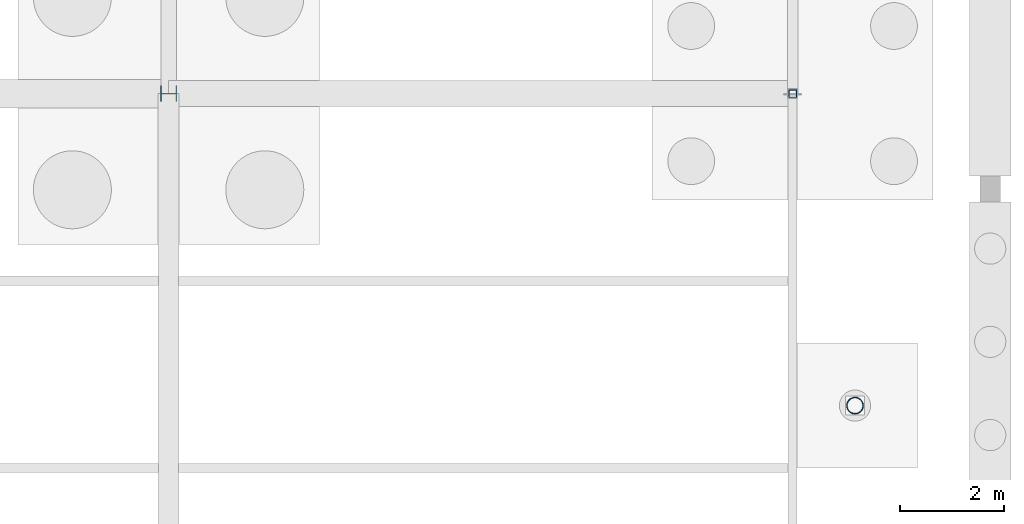
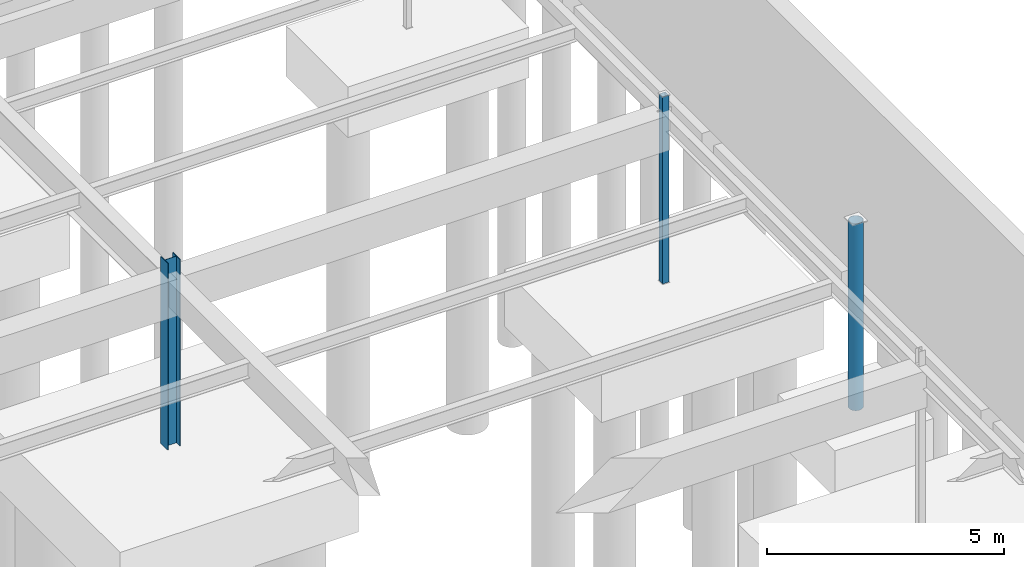
# One storey, part 68 of 136: 3 columns.
"""IFC4 building model written with IfcOpenShell, lengths in metres."""

from ifc_helpers import new_model, si_unit, direction, frame, origin, origin_2d, place, context, subcontext, project, spatial, hollow_rectangle, hollow_circle, i_section, extrude, material, material_profile, profile_set, type_object, element, save


model = new_model("IFC4")

# Units and contexts
model_context = context("Model", 3, precision=1e-05, world=origin(), true_north=direction((0.0, 1.0)))
body_context = subcontext(model_context, "Body", "Model", "MODEL_VIEW")
ifc_project = project(units=[si_unit("LENGTHUNIT", "METRE"), si_unit("AREAUNIT", "SQUARE_METRE"), si_unit("VOLUMEUNIT", "CUBIC_METRE"), si_unit("PLANEANGLEUNIT", "RADIAN"), si_unit("MASSUNIT", "GRAM", prefix="KILO")], contexts=[model_context])

# Site, building, storey
site_placement = place(None, origin())
site = spatial("IfcSite", under=ifc_project, at=site_placement, CompositionType="ELEMENT")
building_placement = place(site_placement, origin())
building = spatial("IfcBuilding", under=site, at=building_placement, Name="Tarnwether General Hospital", CompositionType="ELEMENT")
storey_placement = place(building_placement, frame((0.0, 0.0, -4.800048828125)))
storey = spatial("IfcBuildingStorey", under=building, at=storey_placement, Name="LG", CompositionType="ELEMENT", Elevation=-4.800048828125)

# Columns
ifc_material_1 = material(Name="Steel Grade 350 (350 MPa)", Category="steel")
ifc_material_profile_1 = material_profile(ifc_material_1, i_section(OverallWidth=0.304931640625, OverallDepth=0.30810546875, WebThickness=0.010009765625, FlangeThickness=0.015380859375, at=origin_2d()), Name="310UC96.8")
ifc_profile_set_1 = profile_set([ifc_material_profile_1], Name="Steel Grade 350 (350 MPa)")
column_type_1 = type_object("IfcColumnType", Name="COL-08", PredefinedType="COLUMN", material=ifc_profile_set_1)
column_1_placement = place(storey_placement, frame((180.0, 115.199951171875, 0.0), z_axis=(0.0, 0.0, 1.0), x_axis=(0.0, 1.0, 0.0)))
element("IfcColumn", 1, at=column_1_placement, inside=storey, type_object=column_type_1, Name="Column COLG-LG-18000_11520", PredefinedType="COLUMN", context=body_context, shape_type="SweptSolid", body=[
    extrude(i_section(OverallWidth=0.304931640625, OverallDepth=0.30810546875, WebThickness=0.010009765625, FlangeThickness=0.015380859375, at=origin_2d()), origin(), (0.0, 0.0, 1.0), 4.800048828125),
])
ifc_material_2 = material(Name="Steel Grade C350L0 (350 MPa)", Category="steel")
ifc_material_profile_2 = material_profile(ifc_material_2, hollow_circle(Radius=0.161865234375, WallThickness=0.0126953125, at=origin_2d()), Name="CHS323.9x12.7")
ifc_profile_set_2 = profile_set([ifc_material_profile_2], Name="Steel Grade C350L0 (350 MPa)")
column_type_2 = type_object("IfcColumnType", Name="COL-26", PredefinedType="COLUMN", material=ifc_profile_set_2)
column_2_placement = place(storey_placement, frame((193.199951171875, 109.199951171875, 0.0), z_axis=(0.0, 0.0, 1.0), x_axis=(0.882947592859, 0.469471562786, 0.0)))
element("IfcColumn", 2, at=column_2_placement, inside=storey, type_object=column_type_2, Name="Column COLG-LG-19320_10920", PredefinedType="COLUMN", context=body_context, shape_type="SweptSolid", body=[
    extrude(hollow_circle(Radius=0.161865234375, WallThickness=0.0126953125, at=origin_2d()), origin(), (0.0, 0.0, 1.0), 4.800048828125),
])
ifc_material_3 = material(Name="Steel Grade C350L0 (350 MPa)", Category="steel")
ifc_material_profile_3 = material_profile(ifc_material_3, hollow_rectangle(XDim=0.14990234375, YDim=0.14990234375, WallThickness=0.008056640625, at=origin_2d()), Name="SHS150x150x8")
ifc_profile_set_3 = profile_set([ifc_material_profile_3], Name="Steel Grade C350L0 (350 MPa)")
column_type_3 = type_object("IfcColumnType", Name="COL-33", PredefinedType="COLUMN", material=ifc_profile_set_3)
column_3_placement = place(storey_placement, frame((192.0, 115.199951171875, 0.0), z_axis=(0.0, 0.0, 1.0), x_axis=(1.0, 0.0, 0.0)))
element("IfcColumn", 3, at=column_3_placement, inside=storey, type_object=column_type_3, Name="Column COLG-LG-19200_11520", PredefinedType="COLUMN", context=body_context, shape_type="SweptSolid", body=[
    extrude(hollow_rectangle(XDim=0.14990234375, YDim=0.14990234375, WallThickness=0.008056640625, at=origin_2d()), origin(), (0.0, 0.0, 1.0), 4.800048828125),
])

save(model, "model.ifc")
